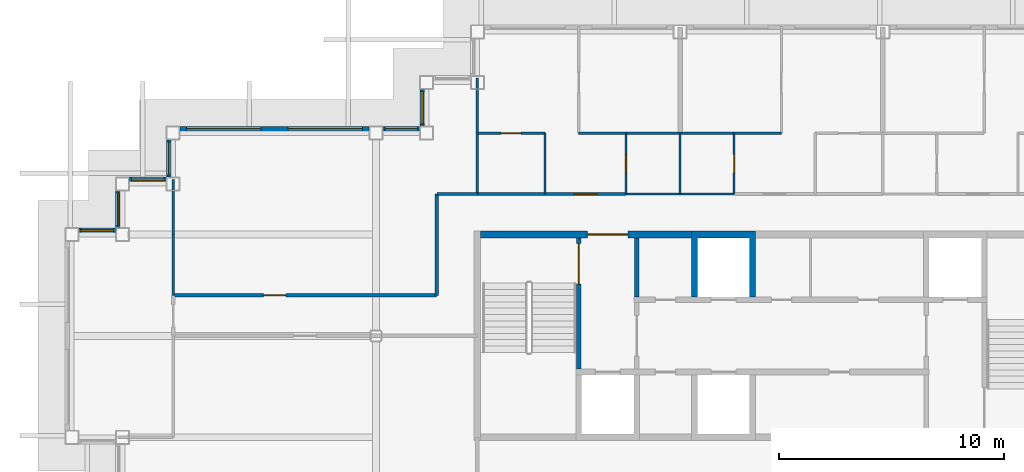
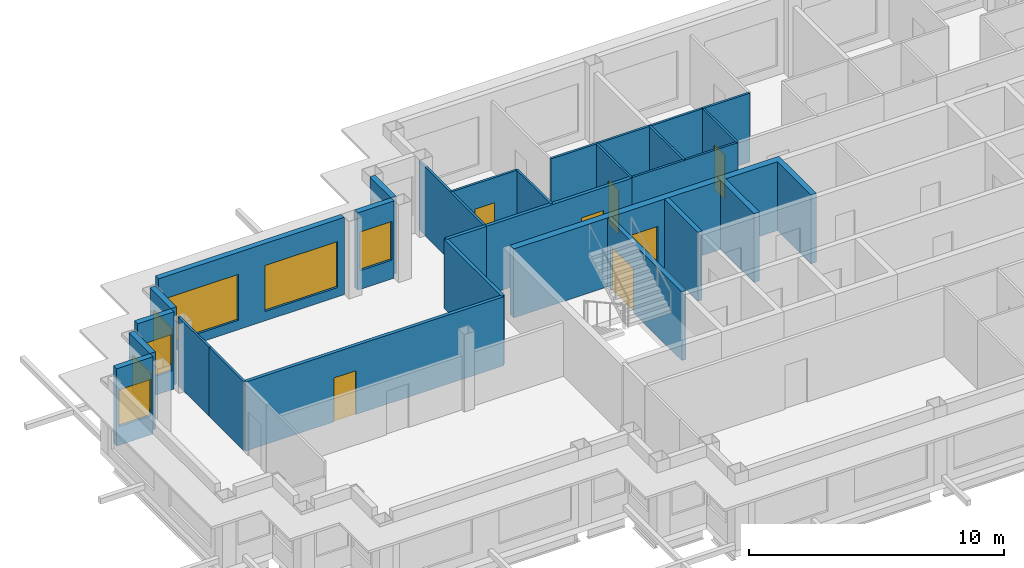
# One storey, part 3 of 11: 27 walls, 8 windows, 7 doors, 15 openings.
"""IFC4 building model written with IfcOpenShell, lengths in metres."""

from ifc_helpers import new_model, si_unit, direction, frame, frame_2d, origin, place, context, subcontext, project, spatial, polyline, rectangle, outline, extrude, material, layer, layer_set, type_object, element, fill, save


model = new_model("IFC4")

# Units and contexts
model_context = context("Model", 3, precision=1e-05, world=origin(), true_north=direction((0.0, 1.0)))
body_context = subcontext(model_context, "Body", "Model", "MODEL_VIEW")
ifc_project = project(units=[si_unit("LENGTHUNIT", "METRE"), si_unit("AREAUNIT", "SQUARE_METRE"), si_unit("VOLUMEUNIT", "CUBIC_METRE"), si_unit("PLANEANGLEUNIT", "RADIAN"), si_unit("MASSUNIT", "GRAM", prefix="KILO")], contexts=[model_context])

# Site, building, storey
site_placement = place(None, origin())
site = spatial("IfcSite", under=ifc_project, at=site_placement, CompositionType="ELEMENT")
building_placement = place(site_placement, origin())
building = spatial("IfcBuilding", under=site, at=building_placement, Name="Caravel Reach Hotel and Residences", CompositionType="ELEMENT")
storey_placement = place(building_placement, frame((0.0, 0.0, 274.89990234375)))
storey = spatial("IfcBuildingStorey", under=building, at=storey_placement, Name="L70", CompositionType="ELEMENT", Elevation=274.89990234375)

# Walls
ifc_material_1 = material(Name="Gypsum board on steel stud", Category="steel")
ifc_layer_1 = layer(ifc_material_1, 0.10009765625)
ifc_layer_set_1 = layer_set([ifc_layer_1], Name="Bathroom pod wall 100 mm")
wall_type_1 = type_object("IfcWallType", Name="Bathroom pod wall 100 mm", PredefinedType="PARTITIONING", material=ifc_layer_set_1)
for number, where, z_axis, x_axis, name in (
    (1, (24.60009765625, 33.300048828125, 0.0), (0.0, 0.0, 1.0), (1.0, 0.0, 0.0), "L70 wall w057"),
    (2, (24.60009765625, 36.0, 0.0), (0.0, 0.0, 1.0), (1.0, 0.0, 0.0), "L70 wall w060"),
):
    element("IfcWall", number, at=place(storey_placement, frame(where, z_axis=z_axis, x_axis=x_axis)), inside=storey, type_object=wall_type_1, Name=name, PredefinedType="PARTITIONING", context=body_context, shape_type="SweptSolid", body=[
        extrude(rectangle(XDim=4.7998046875, YDim=0.10009765625, at=frame_2d((2.39990234375, 0.0))), origin(), (0.0, 0.0, 1.0), 3.300048828125),
    ])

# Wall, opening, door
wall_1_placement = place(storey_placement, frame((24.60009765625, 33.300048828125, 0.0), z_axis=(0.0, 0.0, 1.0), x_axis=(0.0, 1.0, 0.0)))
wall_1 = element("IfcWall", 3, at=wall_1_placement, inside=storey, type_object=wall_type_1, Name="L70 wall w063", PredefinedType="PARTITIONING", context=body_context, shape_type="SweptSolid", body=[
    extrude(rectangle(XDim=2.699951171875, YDim=0.10009765625, at=frame_2d((1.35009765625, 0.0))), origin(), (0.0, 0.0, 1.0), 3.300048828125),
])
opening_1_placement = place(wall_1_placement, frame((0.949951171875, 0.0, 0.0)))
opening_1 = element("IfcOpeningElement", 4, at=opening_1_placement, cuts=wall_1, Name="Opening D70-018", PredefinedType="OPENING", context=body_context, shape_type="SweptSolid", body=[
    extrude(rectangle(XDim=0.800048828125, YDim=2.10009765625, at=frame_2d((0.39990234375, 1.050048828125))), frame((0.0, 0.06005859375, 0.0), z_axis=(0.0, -1.0, 0.0), x_axis=(1.0, 0.0, 0.0)), (0.0, 0.0, 1.0), 0.1201171875),
])
ifc_material_2 = material(Name="Timber and steel door leaf", Category="steel")
door_type_1 = type_object("IfcDoorType", Name="Bathroom door 800 x 2100", OperationType="SINGLE_SWING_LEFT", PredefinedType="DOOR", material=ifc_material_2)
door_1_placement = place(opening_1_placement, origin())
door_1 = element("IfcDoor", 5, at=door_1_placement, inside=storey, type_object=door_type_1, Name="door D70-018", OperationType="SINGLE_SWING_LEFT", OverallHeight=2.10009765625, OverallWidth=0.800048828125, PredefinedType="DOOR", context=body_context, shape_type="SweptSolid", body=[
    extrude(rectangle(XDim=0.800048828125, YDim=2.10009765625, at=frame_2d((0.39990234375, 1.050048828125))), frame((0.0, 0.02490234375, 0.0), z_axis=(0.0, -1.0, 0.0), x_axis=(1.0, 0.0, 0.0)), (0.0, 0.0, 1.0), 0.050048828125),
])
fill(opening_1, door_1)

# Wall
wall_2_placement = place(storey_placement, frame((27.0, 33.300048828125, 0.0), z_axis=(0.0, 0.0, 1.0), x_axis=(0.0, 1.0, 0.0)))
element("IfcWall", 6, at=wall_2_placement, inside=storey, type_object=wall_type_1, Name="L70 wall w064", PredefinedType="PARTITIONING", context=body_context, shape_type="SweptSolid", body=[
    extrude(rectangle(XDim=2.699951171875, YDim=0.10009765625, at=frame_2d((1.35009765625, 0.0))), origin(), (0.0, 0.0, 1.0), 3.300048828125),
])

# Wall, opening, door
wall_3_placement = place(storey_placement, frame((29.39990234375, 33.300048828125, 0.0), z_axis=(0.0, 0.0, 1.0), x_axis=(0.0, 1.0, 0.0)))
wall_3 = element("IfcWall", 7, at=wall_3_placement, inside=storey, type_object=wall_type_1, Name="L70 wall w065", PredefinedType="PARTITIONING", context=body_context, shape_type="SweptSolid", body=[
    extrude(rectangle(XDim=2.699951171875, YDim=0.10009765625, at=frame_2d((1.35009765625, 0.0))), origin(), (0.0, 0.0, 1.0), 3.300048828125),
])
opening_2_placement = place(wall_3_placement, frame((0.949951171875, 0.0, 0.0)))
opening_2 = element("IfcOpeningElement", 8, at=opening_2_placement, cuts=wall_3, Name="Opening D70-021", PredefinedType="OPENING", context=body_context, shape_type="SweptSolid", body=[
    extrude(rectangle(XDim=0.800048828125, YDim=2.10009765625, at=frame_2d((0.39990234375, 1.050048828125))), frame((0.0, 0.06005859375, 0.0), z_axis=(0.0, -1.0, 0.0), x_axis=(1.0, 0.0, 0.0)), (0.0, 0.0, 1.0), 0.1201171875),
])
door_2_placement = place(opening_2_placement, origin())
door_2 = element("IfcDoor", 9, at=door_2_placement, inside=storey, type_object=door_type_1, Name="door D70-021", OperationType="SINGLE_SWING_RIGHT", OverallHeight=2.10009765625, OverallWidth=0.800048828125, PredefinedType="DOOR", context=body_context, shape_type="SweptSolid", body=[
    extrude(rectangle(XDim=0.800048828125, YDim=2.10009765625, at=frame_2d((0.39990234375, 1.050048828125))), frame((0.0, 0.02490234375, 0.0), z_axis=(0.0, -1.0, 0.0), x_axis=(1.0, 0.0, 0.0)), (0.0, 0.0, 1.0), 0.050048828125),
])
fill(opening_2, door_2)

# Wall
ifc_material_3 = material(Name="Autoclaved aerated block wall")
ifc_layer_2 = layer(ifc_material_3, 0.199951171875)
ifc_layer_set_2 = layer_set([ifc_layer_2], Name="Compartment wall 200 mm EI 120")
wall_type_2 = type_object("IfcWallType", Name="Compartment wall 200 mm EI 120", PredefinedType="PARTITIONING", material=ifc_layer_set_2)
wall_4_placement = place(storey_placement, frame((25.071533203125, 28.72509765625, 0.0), z_axis=(0.0, 0.0, 1.0), x_axis=(0.0, 1.0, 0.0)))
element("IfcWall", 10, at=wall_4_placement, inside=storey, type_object=wall_type_2, Name="L70 store partition", PredefinedType="PARTITIONING", context=body_context, shape_type="SweptSolid", body=[
    extrude(rectangle(XDim=2.625, YDim=0.199951171875, at=frame_2d((1.3125, 0.0))), origin(), (0.0, 0.0, 1.0), 3.300048828125),
])

# Wall, opening, door
ifc_material_4 = material(Name="Concrete C60", Category="concrete")
ifc_layer_3 = layer(ifc_material_4, 0.300048828125)
ifc_layer_set_3 = layer_set([ifc_layer_3], Name="Core wall 300 mm EI 120")
wall_type_3 = type_object("IfcWallType", Name="Core wall 300 mm EI 120", PredefinedType="SHEAR", material=ifc_layer_set_3)
wall_5_placement = place(storey_placement, frame((18.14990234375, 31.5, 0.0), z_axis=(0.0, 0.0, 1.0), x_axis=(1.0, 0.0, 0.0)))
wall_5 = element("IfcWall", 11, at=wall_5_placement, inside=storey, type_object=wall_type_3, Name="L70 core wall N1", PredefinedType="SHEAR", context=body_context, shape_type="SweptSolid", body=[
    extrude(rectangle(XDim=9.367919921875, YDim=0.300048828125, at=frame_2d((4.68408203125, 0.0))), origin(), (0.0, 0.0, 1.0), 3.300048828125),
])
opening_3_placement = place(wall_5_placement, frame((4.735595703125, 0.0, 0.0)))
opening_3 = element("IfcOpeningElement", 12, at=opening_3_placement, cuts=wall_5, Name="Opening D70-014", PredefinedType="OPENING", context=body_context, shape_type="SweptSolid", body=[
    extrude(rectangle(XDim=1.800048828125, YDim=2.10009765625, at=frame_2d((0.89990234375, 1.050048828125))), frame((0.0, 0.159912109375, 0.0), z_axis=(0.0, -1.0, 0.0), x_axis=(1.0, 0.0, 0.0)), (0.0, 0.0, 1.0), 0.320068359375),
])
ifc_material_5 = material(Name="Steel fire door leaf", Category="steel")
door_type_2 = type_object("IfcDoorType", Name="Fire lobby door pair 1800 x 2100 EI 90", OperationType="DOUBLE_DOOR_SINGLE_SWING", PredefinedType="DOOR", material=ifc_material_5)
door_3_placement = place(opening_3_placement, origin())
door_3 = element("IfcDoor", 13, at=door_3_placement, inside=storey, type_object=door_type_2, Name="lobby N door pair to corridor", OperationType="DOUBLE_DOOR_SINGLE_SWING", OverallHeight=2.10009765625, OverallWidth=1.800048828125, PredefinedType="DOOR", context=body_context, shape_type="SweptSolid", body=[
    extrude(rectangle(XDim=1.800048828125, YDim=2.10009765625, at=frame_2d((0.89990234375, 1.050048828125))), frame((0.0, 0.02490234375, 0.0), z_axis=(0.0, -1.0, 0.0), x_axis=(1.0, 0.0, 0.0)), (0.0, 0.0, 1.0), 0.050048828125),
])
fill(opening_3, door_3)

ifc_material_6 = material(Name="Gypsum board on steel stud, fire-rated", Category="steel")
ifc_layer_4 = layer(ifc_material_6, 0.14990234375)
ifc_layer_set_4 = layer_set([ifc_layer_4], Name="Corridor wall 150 mm EI 60")
wall_type_4 = type_object("IfcWallType", Name="Corridor wall 150 mm EI 60", PredefinedType="PARTITIONING", material=ifc_layer_set_4)
wall_6_placement = place(storey_placement, frame((4.5, 28.800048828125, 0.0), z_axis=(0.0, 0.0, 1.0), x_axis=(1.0, 0.0, 0.0)))
wall_6 = element("IfcWall", 14, at=wall_6_placement, inside=storey, type_object=wall_type_4, Name="L70 wall w008", PredefinedType="PARTITIONING", context=body_context, shape_type="SweptSolid", body=[
    extrude(rectangle(XDim=11.698974609375, YDim=0.14990234375, at=frame_2d((5.849609375, 0.0))), origin(), (0.0, 0.0, 1.0), 3.300048828125),
])
opening_4_placement = place(wall_6_placement, frame((4.0, 0.0, 0.0)))
opening_4 = element("IfcOpeningElement", 15, at=opening_4_placement, cuts=wall_6, Name="Opening D70-028", PredefinedType="OPENING", context=body_context, shape_type="SweptSolid", body=[
    extrude(rectangle(XDim=1.0, YDim=2.10009765625, at=frame_2d((0.5, 1.050048828125))), frame((0.0, 0.0849609375, 0.0), z_axis=(0.0, -1.0, 0.0), x_axis=(1.0, 0.0, 0.0)), (0.0, 0.0, 1.0), 0.169921875),
])
ifc_material_7 = material(Name="Steel fire door leaf", Category="steel")
door_type_3 = type_object("IfcDoorType", Name="Fire door 1000 x 2100 EI 60", OperationType="SINGLE_SWING_LEFT", PredefinedType="DOOR", material=ifc_material_7)
door_4_placement = place(opening_4_placement, origin())
door_4 = element("IfcDoor", 16, at=door_4_placement, inside=storey, type_object=door_type_3, Name="door D70-028", OperationType="SINGLE_SWING_RIGHT", OverallHeight=2.10009765625, OverallWidth=1.0, PredefinedType="DOOR", context=body_context, shape_type="SweptSolid", body=[
    extrude(rectangle(XDim=1.0, YDim=2.10009765625, at=frame_2d((0.5, 1.050048828125))), frame((0.0, 0.02490234375, 0.0), z_axis=(0.0, -1.0, 0.0), x_axis=(1.0, 0.0, 0.0)), (0.0, 0.0, 1.0), 0.050048828125),
])
fill(opening_4, door_4)

wall_7_placement = place(storey_placement, frame((18.0, 33.300048828125, 0.0), z_axis=(0.0, 0.0, 1.0), x_axis=(1.0, 0.0, 0.0)))
wall_7 = element("IfcWall", 17, at=wall_7_placement, inside=storey, type_object=wall_type_4, Name="L70 wall w011", PredefinedType="PARTITIONING", context=body_context, shape_type="SweptSolid", body=[
    extrude(rectangle(XDim=6.60009765625, YDim=0.14990234375, at=frame_2d((3.300048828125, 0.0))), origin(), (0.0, 0.0, 1.0), 3.300048828125),
])
opening_5_placement = place(wall_7_placement, frame((4.300048828125, 0.0, 0.0)))
opening_5 = element("IfcOpeningElement", 18, at=opening_5_placement, cuts=wall_7, Name="Opening D70-016", PredefinedType="OPENING", context=body_context, shape_type="SweptSolid", body=[
    extrude(rectangle(XDim=1.0, YDim=2.199951171875, at=frame_2d((0.5, 1.10009765625))), frame((0.0, 0.0849609375, 0.0), z_axis=(0.0, -1.0, 0.0), x_axis=(1.0, 0.0, 0.0)), (0.0, 0.0, 1.0), 0.169921875),
])
ifc_material_8 = material(Name="Steel fire door leaf", Category="steel")
door_type_4 = type_object("IfcDoorType", Name="Flat entrance door 1000 x 2200 EI 60", OperationType="SINGLE_SWING_LEFT", PredefinedType="DOOR", material=ifc_material_8)
door_5_placement = place(opening_5_placement, origin())
door_5 = element("IfcDoor", 19, at=door_5_placement, inside=storey, type_object=door_type_4, Name="door D70-016", OperationType="SINGLE_SWING_LEFT", OverallHeight=2.199951171875, OverallWidth=1.0, PredefinedType="DOOR", context=body_context, shape_type="SweptSolid", body=[
    extrude(rectangle(XDim=1.0, YDim=2.199951171875, at=frame_2d((0.5, 1.10009765625))), frame((0.0, 0.02490234375, 0.0), z_axis=(0.0, -1.0, 0.0), x_axis=(1.0, 0.0, 0.0)), (0.0, 0.0, 1.0), 0.050048828125),
])
fill(opening_5, door_5)

# Walls
wall_8_placement = place(storey_placement, frame((16.199951171875, 33.300048828125, 0.0), z_axis=(0.0, 0.0, 1.0), x_axis=(1.0, 0.0, 0.0)))
element("IfcWall", 20, at=wall_8_placement, inside=storey, type_object=wall_type_4, Name="L70 wall w016", PredefinedType="PARTITIONING", context=body_context, shape_type="SweptSolid", body=[
    extrude(rectangle(XDim=1.799072265625, YDim=0.14990234375, at=frame_2d((0.8994140625, 0.0))), origin(), (0.0, 0.0, 1.0), 3.300048828125),
])
wall_9_placement = place(storey_placement, frame((16.199951171875, 28.801025390625, 0.0), z_axis=(0.0, 0.0, 1.0), x_axis=(0.0, 1.0, 0.0)))
element("IfcWall", 21, at=wall_9_placement, inside=storey, type_object=wall_type_4, Name="L70 wall w017", PredefinedType="PARTITIONING", context=body_context, shape_type="SweptSolid", body=[
    extrude(rectangle(XDim=4.4990234375, YDim=0.14990234375, at=frame_2d((2.24951171875, 0.0))), origin(), (0.0, 0.0, 1.0), 3.300048828125),
])

# Wall, opening, window
ifc_material_9 = material(Name="Insulated rainscreen wall, aluminium cladding", Category="aluminium")
ifc_layer_5 = layer(ifc_material_9, 0.25)
ifc_layer_set_5 = layer_set([ifc_layer_5], Name="EW1 Tower rainscreen wall")
wall_type_5 = type_object("IfcWallType", Name="EW1 Tower rainscreen wall", PredefinedType="SOLIDWALL", material=ifc_layer_set_5)
wall_10_placement = place(storey_placement, frame((15.574951171875, 37.949951171875, 0.0), z_axis=(0.0, 0.0, 1.0), x_axis=(0.0, -1.0, 0.0)))
wall_10 = element("IfcWall", 22, at=wall_10_placement, inside=storey, type_object=wall_type_5, Name="External wall L70 W17.1", PredefinedType="SOLIDWALL", context=body_context, shape_type="SweptSolid", body=[
    extrude(rectangle(XDim=1.64990234375, YDim=0.25, at=frame_2d((0.824951171875, 0.0))), origin(), (0.0, 0.0, 1.0), 3.7001953125),
])
opening_6_placement = place(wall_10_placement, frame((0.10009765625, 0.0, 0.89990234375)))
opening_6 = element("IfcOpeningElement", 23, at=opening_6_placement, cuts=wall_10, Name="Opening WN25", PredefinedType="OPENING", context=body_context, shape_type="SweptSolid", body=[
    extrude(rectangle(XDim=1.449951171875, YDim=1.85009765625, at=frame_2d((0.72509765625, 0.925048828125))), frame((0.0, 0.135009765625, 0.0), z_axis=(0.0, -1.0, 0.0), x_axis=(1.0, 0.0, 0.0)), (0.0, 0.0, 1.0), 0.27001953125),
])
ifc_material_10 = material(Name="Dark low-e glazing in black aluminium frame", Category="aluminium")
window_type_1 = type_object("IfcWindowType", Name="Residence bedroom window 1450 x 1850", PartitioningType="SINGLE_PANEL", PredefinedType="WINDOW", material=ifc_material_10)
window_1_placement = place(opening_6_placement, origin())
window_1 = element("IfcWindow", 24, at=window_1_placement, inside=storey, type_object=window_type_1, Name="Window L70 W17.1.1", OverallHeight=1.85009765625, OverallWidth=1.449951171875, PartitioningType="SINGLE_PANEL", PredefinedType="WINDOW", context=body_context, shape_type="SweptSolid", body=[
    extrude(rectangle(XDim=1.449951171875, YDim=1.85009765625, at=frame_2d((0.72509765625, 0.925048828125))), frame((0.0, 0.030029296875, 0.0), z_axis=(0.0, -1.0, 0.0), x_axis=(1.0, 0.0, 0.0)), (0.0, 0.0, 1.0), 0.06005859375),
])
fill(opening_6, window_1)

wall_11_placement = place(storey_placement, frame((15.449951171875, 36.175048828125, 0.0), z_axis=(0.0, 0.0, 1.0), x_axis=(-1.0, 0.0, 0.0)))
wall_11 = element("IfcWall", 25, at=wall_11_placement, inside=storey, type_object=wall_type_5, Name="External wall L70 N18.1", PredefinedType="SOLIDWALL", context=body_context, shape_type="SweptSolid", body=[
    extrude(rectangle(XDim=1.64990234375, YDim=0.25, at=frame_2d((0.824951171875, 0.0))), origin(), (0.0, 0.0, 1.0), 3.7001953125),
])
opening_7_placement = place(wall_11_placement, frame((0.10009765625, 0.0, 0.89990234375)))
opening_7 = element("IfcOpeningElement", 26, at=opening_7_placement, cuts=wall_11, Name="Opening WN25", PredefinedType="OPENING", context=body_context, shape_type="SweptSolid", body=[
    extrude(rectangle(XDim=1.449951171875, YDim=1.85009765625, at=frame_2d((0.72509765625, 0.925048828125))), frame((0.0, 0.135009765625, 0.0), z_axis=(0.0, -1.0, 0.0), x_axis=(1.0, 0.0, 0.0)), (0.0, 0.0, 1.0), 0.27001953125),
])
window_2_placement = place(opening_7_placement, origin())
window_2 = element("IfcWindow", 27, at=window_2_placement, inside=storey, type_object=window_type_1, Name="Window L70 N18.1.1", OverallHeight=1.85009765625, OverallWidth=1.449951171875, PartitioningType="SINGLE_PANEL", PredefinedType="WINDOW", context=body_context, shape_type="SweptSolid", body=[
    extrude(rectangle(XDim=1.449951171875, YDim=1.85009765625, at=frame_2d((0.72509765625, 0.925048828125))), frame((0.0, 0.030029296875, 0.0), z_axis=(0.0, -1.0, 0.0), x_axis=(1.0, 0.0, 0.0)), (0.0, 0.0, 1.0), 0.06005859375),
])
fill(opening_7, window_2)

# Wall, openings, windows
wall_12_placement = place(storey_placement, frame((13.199951171875, 36.175048828125, 0.0), z_axis=(0.0, 0.0, 1.0), x_axis=(-1.0, 0.0, 0.0)))
wall_12 = element("IfcWall", 28, at=wall_12_placement, inside=storey, type_object=wall_type_5, Name="External wall L70 N18.2", PredefinedType="SOLIDWALL", context=body_context, shape_type="SweptSolid", body=[
    extrude(rectangle(XDim=8.39990234375, YDim=0.25, at=frame_2d((4.199951171875, 0.0))), origin(), (0.0, 0.0, 1.0), 3.7001953125),
])
opening_8_placement = place(wall_12_placement, frame((0.300048828125, 0.0, 0.449951171875)))
opening_8 = element("IfcOpeningElement", 29, at=opening_8_placement, cuts=wall_12, Name="Opening WN19", PredefinedType="OPENING", context=body_context, shape_type="SweptSolid", body=[
    extrude(rectangle(XDim=3.300048828125, YDim=2.199951171875, at=frame_2d((1.64990234375, 1.10009765625))), frame((0.0, 0.135009765625, 0.0), z_axis=(0.0, -1.0, 0.0), x_axis=(1.0, 0.0, 0.0)), (0.0, 0.0, 1.0), 0.27001953125),
])
opening_9_placement = place(wall_12_placement, frame((4.800048828125, 0.0, 0.449951171875)))
opening_9 = element("IfcOpeningElement", 30, at=opening_9_placement, cuts=wall_12, Name="Opening WN19", PredefinedType="OPENING", context=body_context, shape_type="SweptSolid", body=[
    extrude(rectangle(XDim=3.300048828125, YDim=2.199951171875, at=frame_2d((1.64990234375, 1.10009765625))), frame((0.0, 0.135009765625, 0.0), z_axis=(0.0, -1.0, 0.0), x_axis=(1.0, 0.0, 0.0)), (0.0, 0.0, 1.0), 0.27001953125),
])
ifc_material_11 = material(Name="Dark low-e glazing in black aluminium frame", Category="aluminium")
window_type_2 = type_object("IfcWindowType", Name="Residence living window 3300 x 2200", PartitioningType="SINGLE_PANEL", PredefinedType="WINDOW", material=ifc_material_11)
window_3_placement = place(opening_8_placement, origin())
window_3 = element("IfcWindow", 31, at=window_3_placement, inside=storey, type_object=window_type_2, Name="Window L70 N18.2.1", OverallHeight=2.199951171875, OverallWidth=3.300048828125, PartitioningType="SINGLE_PANEL", PredefinedType="WINDOW", context=body_context, shape_type="SweptSolid", body=[
    extrude(rectangle(XDim=3.300048828125, YDim=2.199951171875, at=frame_2d((1.64990234375, 1.10009765625))), frame((0.0, 0.030029296875, 0.0), z_axis=(0.0, -1.0, 0.0), x_axis=(1.0, 0.0, 0.0)), (0.0, 0.0, 1.0), 0.06005859375),
])
fill(opening_8, window_3)
window_4_placement = place(opening_9_placement, origin())
window_4 = element("IfcWindow", 32, at=window_4_placement, inside=storey, type_object=window_type_2, Name="Window L70 N18.2.2", OverallHeight=2.199951171875, OverallWidth=3.300048828125, PartitioningType="SINGLE_PANEL", PredefinedType="WINDOW", context=body_context, shape_type="SweptSolid", body=[
    extrude(rectangle(XDim=3.300048828125, YDim=2.199951171875, at=frame_2d((1.64990234375, 1.10009765625))), frame((0.0, 0.030029296875, 0.0), z_axis=(0.0, -1.0, 0.0), x_axis=(1.0, 0.0, 0.0)), (0.0, 0.0, 1.0), 0.06005859375),
])
fill(opening_9, window_4)

# Wall, opening, window
wall_13_placement = place(storey_placement, frame((4.324951171875, 35.699951171875, 0.0), z_axis=(0.0, 0.0, 1.0), x_axis=(0.0, -1.0, 0.0)))
wall_13 = element("IfcWall", 33, at=wall_13_placement, inside=storey, type_object=wall_type_5, Name="External wall L70 W19.1", PredefinedType="SOLIDWALL", context=body_context, shape_type="SweptSolid", body=[
    extrude(rectangle(XDim=1.64990234375, YDim=0.25, at=frame_2d((0.824951171875, 0.0))), origin(), (0.0, 0.0, 1.0), 3.7001953125),
])
opening_10_placement = place(wall_13_placement, frame((0.10009765625, 0.0, 0.89990234375)))
opening_10 = element("IfcOpeningElement", 34, at=opening_10_placement, cuts=wall_13, Name="Opening WN26", PredefinedType="OPENING", context=body_context, shape_type="SweptSolid", body=[
    extrude(rectangle(XDim=1.449951171875, YDim=1.75, at=frame_2d((0.72509765625, 0.875))), frame((0.0, 0.135009765625, 0.0), z_axis=(0.0, -1.0, 0.0), x_axis=(1.0, 0.0, 0.0)), (0.0, 0.0, 1.0), 0.27001953125),
])
ifc_material_12 = material(Name="Dark low-e glazing in black aluminium frame", Category="aluminium")
window_type_3 = type_object("IfcWindowType", Name="Residence bedroom window 1450 x 1750", PartitioningType="SINGLE_PANEL", PredefinedType="WINDOW", material=ifc_material_12)
window_5_placement = place(opening_10_placement, origin())
window_5 = element("IfcWindow", 35, at=window_5_placement, inside=storey, type_object=window_type_3, Name="Window L70 W19.1.1", OverallHeight=1.75, OverallWidth=1.449951171875, PartitioningType="SINGLE_PANEL", PredefinedType="WINDOW", context=body_context, shape_type="SweptSolid", body=[
    extrude(rectangle(XDim=1.449951171875, YDim=1.75, at=frame_2d((0.72509765625, 0.875))), frame((0.0, 0.030029296875, 0.0), z_axis=(0.0, -1.0, 0.0), x_axis=(1.0, 0.0, 0.0)), (0.0, 0.0, 1.0), 0.06005859375),
])
fill(opening_10, window_5)

wall_14_placement = place(storey_placement, frame((4.199951171875, 33.925048828125, 0.0), z_axis=(0.0, 0.0, 1.0), x_axis=(-1.0, 0.0, 0.0)))
wall_14 = element("IfcWall", 36, at=wall_14_placement, inside=storey, type_object=wall_type_5, Name="External wall L70 N20.1", PredefinedType="SOLIDWALL", context=body_context, shape_type="SweptSolid", body=[
    extrude(rectangle(XDim=1.64990234375, YDim=0.25, at=frame_2d((0.824951171875, 0.0))), origin(), (0.0, 0.0, 1.0), 3.7001953125),
])
opening_11_placement = place(wall_14_placement, frame((0.10009765625, 0.0, 0.89990234375)))
opening_11 = element("IfcOpeningElement", 37, at=opening_11_placement, cuts=wall_14, Name="Opening WN26", PredefinedType="OPENING", context=body_context, shape_type="SweptSolid", body=[
    extrude(rectangle(XDim=1.449951171875, YDim=1.75, at=frame_2d((0.72509765625, 0.875))), frame((0.0, 0.135009765625, 0.0), z_axis=(0.0, -1.0, 0.0), x_axis=(1.0, 0.0, 0.0)), (0.0, 0.0, 1.0), 0.27001953125),
])
window_6_placement = place(opening_11_placement, origin())
window_6 = element("IfcWindow", 38, at=window_6_placement, inside=storey, type_object=window_type_3, Name="Window L70 N20.1.1", OverallHeight=1.75, OverallWidth=1.449951171875, PartitioningType="SINGLE_PANEL", PredefinedType="WINDOW", context=body_context, shape_type="SweptSolid", body=[
    extrude(rectangle(XDim=1.449951171875, YDim=1.75, at=frame_2d((0.72509765625, 0.875))), frame((0.0, 0.030029296875, 0.0), z_axis=(0.0, -1.0, 0.0), x_axis=(1.0, 0.0, 0.0)), (0.0, 0.0, 1.0), 0.06005859375),
])
fill(opening_11, window_6)

wall_15_placement = place(storey_placement, frame((2.074951171875, 33.449951171875, 0.0), z_axis=(0.0, 0.0, 1.0), x_axis=(0.0, -1.0, 0.0)))
wall_15 = element("IfcWall", 39, at=wall_15_placement, inside=storey, type_object=wall_type_5, Name="External wall L70 W21.1", PredefinedType="SOLIDWALL", context=body_context, shape_type="SweptSolid", body=[
    extrude(rectangle(XDim=1.64990234375, YDim=0.25, at=frame_2d((0.824951171875, 0.0))), origin(), (0.0, 0.0, 1.0), 3.7001953125),
])
opening_12_placement = place(wall_15_placement, frame((0.10009765625, 0.0, 0.89990234375)))
opening_12 = element("IfcOpeningElement", 40, at=opening_12_placement, cuts=wall_15, Name="Opening WN26", PredefinedType="OPENING", context=body_context, shape_type="SweptSolid", body=[
    extrude(rectangle(XDim=1.449951171875, YDim=1.75, at=frame_2d((0.72509765625, 0.875))), frame((0.0, 0.135009765625, 0.0), z_axis=(0.0, -1.0, 0.0), x_axis=(1.0, 0.0, 0.0)), (0.0, 0.0, 1.0), 0.27001953125),
])
window_7_placement = place(opening_12_placement, origin())
window_7 = element("IfcWindow", 41, at=window_7_placement, inside=storey, type_object=window_type_3, Name="Window L70 W21.1.1", OverallHeight=1.75, OverallWidth=1.449951171875, PartitioningType="SINGLE_PANEL", PredefinedType="WINDOW", context=body_context, shape_type="SweptSolid", body=[
    extrude(rectangle(XDim=1.449951171875, YDim=1.75, at=frame_2d((0.72509765625, 0.875))), frame((0.0, 0.030029296875, 0.0), z_axis=(0.0, -1.0, 0.0), x_axis=(1.0, 0.0, 0.0)), (0.0, 0.0, 1.0), 0.06005859375),
])
fill(opening_12, window_7)

wall_16_placement = place(storey_placement, frame((1.949951171875, 31.675048828125, 0.0), z_axis=(0.0, 0.0, 1.0), x_axis=(-1.0, 0.0, 0.0)))
wall_16 = element("IfcWall", 42, at=wall_16_placement, inside=storey, type_object=wall_type_5, Name="External wall L70 N22.1", PredefinedType="SOLIDWALL", context=body_context, shape_type="SweptSolid", body=[
    extrude(rectangle(XDim=1.64990234375, YDim=0.25, at=frame_2d((0.824951171875, 0.0))), origin(), (0.0, 0.0, 1.0), 3.7001953125),
])
opening_13_placement = place(wall_16_placement, frame((0.10009765625, 0.0, 0.89990234375)))
opening_13 = element("IfcOpeningElement", 43, at=opening_13_placement, cuts=wall_16, Name="Opening WN26", PredefinedType="OPENING", context=body_context, shape_type="SweptSolid", body=[
    extrude(rectangle(XDim=1.449951171875, YDim=1.75, at=frame_2d((0.72509765625, 0.875))), frame((0.0, 0.135009765625, 0.0), z_axis=(0.0, -1.0, 0.0), x_axis=(1.0, 0.0, 0.0)), (0.0, 0.0, 1.0), 0.27001953125),
])
window_8_placement = place(opening_13_placement, origin())
window_8 = element("IfcWindow", 44, at=window_8_placement, inside=storey, type_object=window_type_3, Name="Window L70 N22.1.1", OverallHeight=1.75, OverallWidth=1.449951171875, PartitioningType="SINGLE_PANEL", PredefinedType="WINDOW", context=body_context, shape_type="SweptSolid", body=[
    extrude(rectangle(XDim=1.449951171875, YDim=1.75, at=frame_2d((0.72509765625, 0.875))), frame((0.0, 0.030029296875, 0.0), z_axis=(0.0, -1.0, 0.0), x_axis=(1.0, 0.0, 0.0)), (0.0, 0.0, 1.0), 0.06005859375),
])
fill(opening_13, window_8)

# Wall
ifc_material_13 = material(Name="Gypsum board on steel stud", Category="steel")
ifc_layer_6 = layer(ifc_material_13, 0.10009765625)
ifc_layer_set_6 = layer_set([ifc_layer_6], Name="Partition 100 mm")
wall_type_6 = type_object("IfcWallType", Name="Partition 100 mm", PredefinedType="PARTITIONING", material=ifc_layer_set_6)
wall_17_placement = place(storey_placement, frame((22.5, 36.0, 0.0), z_axis=(0.0, 0.0, 1.0), x_axis=(1.0, 0.0, 0.0)))
element("IfcWall", 45, at=wall_17_placement, inside=storey, type_object=wall_type_6, Name="L70 wall w026", PredefinedType="PARTITIONING", context=body_context, shape_type="SweptSolid", body=[
    extrude(rectangle(XDim=2.10009765625, YDim=0.10009765625, at=frame_2d((1.050048828125, 0.0))), origin(), (0.0, 0.0, 1.0), 3.300048828125),
])

# Wall, opening, door
wall_18_placement = place(storey_placement, frame((18.0, 36.0, 0.0), z_axis=(0.0, 0.0, 1.0), x_axis=(1.0, 0.0, 0.0)))
wall_18 = element("IfcWall", 46, at=wall_18_placement, inside=storey, type_object=wall_type_6, Name="L70 wall w027", PredefinedType="PARTITIONING", context=body_context, shape_type="SweptSolid", body=[
    extrude(rectangle(XDim=3.0, YDim=0.10009765625, at=frame_2d((1.5, 0.0))), origin(), (0.0, 0.0, 1.0), 3.300048828125),
])
opening_14_placement = place(wall_18_placement, frame((1.050048828125, 0.0, 0.0)))
opening_14 = element("IfcOpeningElement", 47, at=opening_14_placement, cuts=wall_18, Name="Opening D70-017", PredefinedType="OPENING", context=body_context, shape_type="SweptSolid", body=[
    extrude(rectangle(XDim=0.89990234375, YDim=2.10009765625, at=frame_2d((0.449951171875, 1.050048828125))), frame((0.0, 0.06005859375, 0.0), z_axis=(0.0, -1.0, 0.0), x_axis=(1.0, 0.0, 0.0)), (0.0, 0.0, 1.0), 0.1201171875),
])
ifc_material_14 = material(Name="Timber and steel door leaf", Category="steel")
door_type_5 = type_object("IfcDoorType", Name="Door 900 x 2100 timber", OperationType="SINGLE_SWING_LEFT", PredefinedType="DOOR", material=ifc_material_14)
door_6_placement = place(opening_14_placement, origin())
door_6 = element("IfcDoor", 48, at=door_6_placement, inside=storey, type_object=door_type_5, Name="door D70-017", OperationType="SINGLE_SWING_RIGHT", OverallHeight=2.10009765625, OverallWidth=0.89990234375, PredefinedType="DOOR", context=body_context, shape_type="SweptSolid", body=[
    extrude(rectangle(XDim=0.89990234375, YDim=2.10009765625, at=frame_2d((0.449951171875, 1.050048828125))), frame((0.0, 0.02490234375, 0.0), z_axis=(0.0, -1.0, 0.0), x_axis=(1.0, 0.0, 0.0)), (0.0, 0.0, 1.0), 0.050048828125),
])
fill(opening_14, door_6)

# Walls
wall_19_placement = place(storey_placement, frame((29.39990234375, 36.0, 0.0), z_axis=(0.0, 0.0, 1.0), x_axis=(1.0, 0.0, 0.0)))
element("IfcWall", 49, at=wall_19_placement, inside=storey, type_object=wall_type_6, Name="L70 wall w028", PredefinedType="PARTITIONING", context=body_context, shape_type="SweptSolid", body=[
    extrude(rectangle(XDim=2.10009765625, YDim=0.10009765625, at=frame_2d((1.050048828125, 0.0))), origin(), (0.0, 0.0, 1.0), 3.300048828125),
])
wall_20_placement = place(storey_placement, frame((18.0, 33.301025390625, 0.0), z_axis=(0.0, 0.0, 1.0), x_axis=(0.0, 1.0, 0.0)))
element("IfcWall", 50, at=wall_20_placement, inside=storey, type_object=wall_type_6, Name="L70 wall w033", PredefinedType="PARTITIONING", context=body_context, shape_type="SweptSolid", body=[
    extrude(rectangle(XDim=5.138916015625, YDim=0.10009765625, at=frame_2d((2.5693359375, 0.0))), origin(), (0.0, 0.0, 1.0), 3.300048828125),
])
for number, where, z_axis, x_axis, name in (
    (51, (21.0, 33.300048828125, 0.0), (0.0, 0.0, 1.0), (0.0, 1.0, 0.0), "L70 wall w036"),
    (52, (4.5, 28.800048828125, 0.0), (0.0, 0.0, 1.0), (0.0, 1.0, 0.0), "L70 wall w043"),
):
    element("IfcWall", number, at=place(storey_placement, frame(where, z_axis=z_axis, x_axis=x_axis)), inside=storey, type_object=wall_type_6, Name=name, PredefinedType="PARTITIONING", context=body_context, shape_type="SweptSolid", body=[
        extrude(rectangle(XDim=2.699951171875, YDim=0.10009765625, at=frame_2d((1.35009765625, 0.0))), origin(), (0.0, 0.0, 1.0), 3.300048828125),
    ])
wall_21_placement = place(storey_placement, frame((4.5, 31.5009765625, 0.0), z_axis=(0.0, 0.0, 1.0), x_axis=(0.0, 1.0, 0.0)))
element("IfcWall", 53, at=wall_21_placement, inside=storey, type_object=wall_type_6, Name="L70 wall w044", PredefinedType="PARTITIONING", context=body_context, shape_type="SweptSolid", body=[
    extrude(rectangle(XDim=2.43896484375, YDim=0.10009765625, at=frame_2d((1.219482421875, 0.0))), origin(), (0.0, 0.0, 1.0), 3.300048828125),
])
ifc_material_15 = material(Name="Concrete C60", Category="concrete")
ifc_layer_7 = layer(ifc_material_15, 0.25)
ifc_layer_set_7 = layer_set([ifc_layer_7], Name="Shaft wall 250 mm EI 120")
wall_type_7 = type_object("IfcWallType", Name="Shaft wall 250 mm EI 120", PredefinedType="SHEAR", material=ifc_layer_set_7)
wall_22_placement = place(storey_placement, origin())
element("IfcWall", 54, at=wall_22_placement, inside=storey, type_object=wall_type_7, Name="L70 lift shaft wall N1", PredefinedType="SHEAR", context=body_context, shape_type="SweptSolid", body=[
    extrude(outline(polyline([(27.517822265625, 28.72509765625), (27.767822265625, 28.72509765625), (27.767822265625, 31.35009765625), (30.08935546875, 31.35009765625), (30.08935546875, 28.72509765625), (30.33935546875, 28.72509765625), (30.33935546875, 31.64990234375), (27.517822265625, 31.64990234375), (27.517822265625, 28.72509765625)])), origin(), (0.0, 0.0, 1.0), 3.300048828125),
])

# Wall, opening, door
ifc_material_16 = material(Name="Concrete C60", Category="concrete")
ifc_layer_8 = layer(ifc_material_16, 0.199951171875)
ifc_layer_set_8 = layer_set([ifc_layer_8], Name="Stair enclosure wall 200 mm EI 120")
wall_type_8 = type_object("IfcWallType", Name="Stair enclosure wall 200 mm EI 120", PredefinedType="SHEAR", material=ifc_layer_set_8)
wall_23_placement = place(storey_placement, frame((22.5, 31.35009765625, 0.0), z_axis=(0.0, 0.0, 1.0), x_axis=(0.0, -1.0, 0.0)))
wall_23 = element("IfcWall", 55, at=wall_23_placement, inside=storey, type_object=wall_type_8, Name="L70 stair A wall", PredefinedType="SHEAR", context=body_context, shape_type="SweptSolid", body=[
    extrude(rectangle(XDim=5.8251953125, YDim=0.199951171875, at=frame_2d((2.91259765625, 0.0))), origin(), (0.0, 0.0, 1.0), 3.300048828125),
])
opening_15_placement = place(wall_23_placement, frame((0.25, 0.0, 0.0)))
opening_15 = element("IfcOpeningElement", 56, at=opening_15_placement, cuts=wall_23, Name="Opening D70-010", PredefinedType="OPENING", context=body_context, shape_type="SweptSolid", body=[
    extrude(rectangle(XDim=1.800048828125, YDim=2.10009765625, at=frame_2d((0.89990234375, 1.050048828125))), frame((0.0, 0.10986328125, 0.0), z_axis=(0.0, -1.0, 0.0), x_axis=(1.0, 0.0, 0.0)), (0.0, 0.0, 1.0), 0.219970703125),
])
ifc_material_17 = material(Name="Steel fire door leaf", Category="steel")
door_type_6 = type_object("IfcDoorType", Name="Stair door pair 1800 x 2100 EI 90", OperationType="DOUBLE_DOOR_SINGLE_SWING", PredefinedType="DOOR", material=ifc_material_17)
door_7_placement = place(opening_15_placement, origin())
door_7 = element("IfcDoor", 57, at=door_7_placement, inside=storey, type_object=door_type_6, Name="stair A door pair", OperationType="DOUBLE_DOOR_SINGLE_SWING", OverallHeight=2.10009765625, OverallWidth=1.800048828125, PredefinedType="DOOR", context=body_context, shape_type="SweptSolid", body=[
    extrude(rectangle(XDim=1.800048828125, YDim=2.10009765625, at=frame_2d((0.89990234375, 1.050048828125))), frame((0.0, 0.02490234375, 0.0), z_axis=(0.0, -1.0, 0.0), x_axis=(1.0, 0.0, 0.0)), (0.0, 0.0, 1.0), 0.050048828125),
])
fill(opening_15, door_7)

save(model, "model.ifc")
